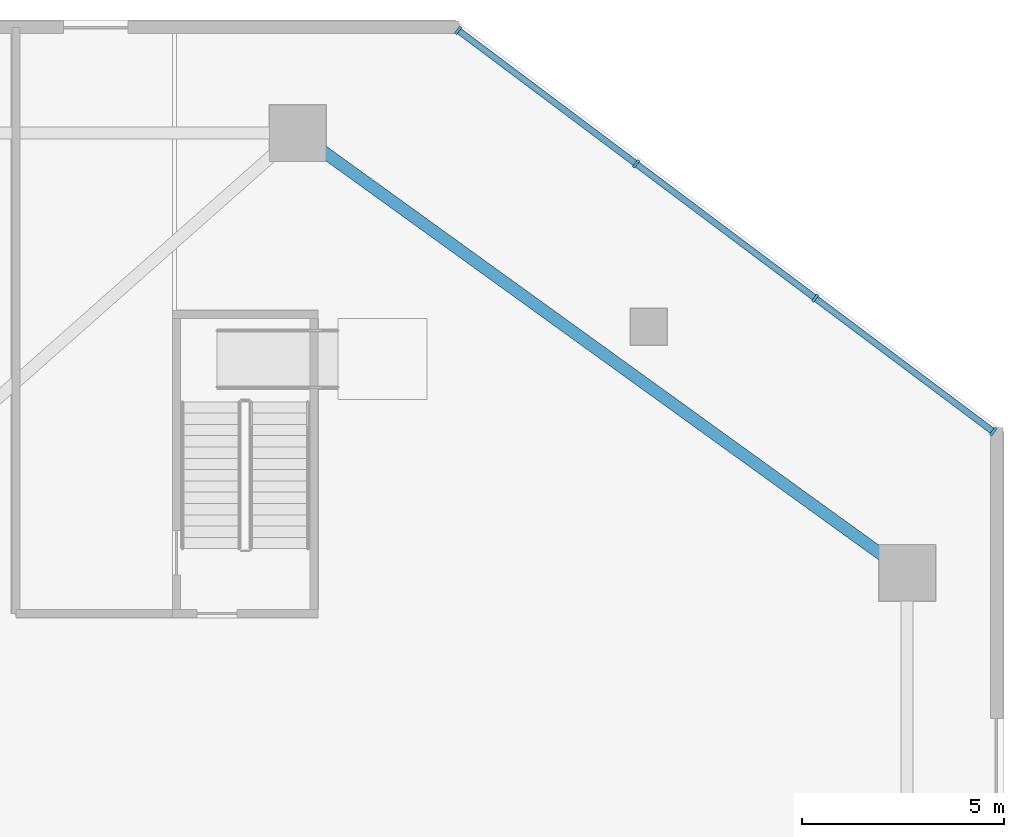
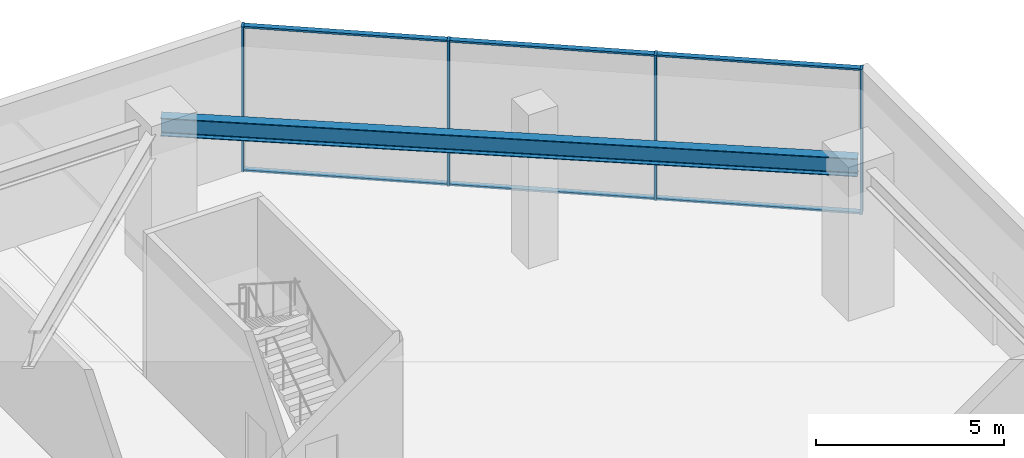
# One storey, part 7 of 22: 10 members, 1 beam, 1 element without a shape of its own.
"""IFC4 building model written with IfcOpenShell, lengths in metres."""

from ifc_helpers import new_model, si_unit, direction, frame, origin, origin_2d, place, context, subcontext, project, spatial, rectangle, i_section, extrude, material, material_profile, profile_set, type_object, element, aggregate, save


model = new_model("IFC4")

# Units and contexts
model_context = context("Model", 3, precision=1e-05, world=origin(), true_north=direction((0.0, 1.0)))
body_context = subcontext(model_context, "Body", "Model", "MODEL_VIEW")
ifc_project = project(units=[si_unit("LENGTHUNIT", "METRE"), si_unit("AREAUNIT", "SQUARE_METRE"), si_unit("VOLUMEUNIT", "CUBIC_METRE"), si_unit("PLANEANGLEUNIT", "RADIAN"), si_unit("MASSUNIT", "GRAM", prefix="KILO")], contexts=[model_context])

# Site, building, storey
site_placement = place(None, origin())
site = spatial("IfcSite", under=ifc_project, at=site_placement, CompositionType="ELEMENT")
building_placement = place(site_placement, origin())
building = spatial("IfcBuilding", under=site, at=building_placement, Name="Savorim Split Tower", CompositionType="ELEMENT")
storey_placement = place(building_placement, origin())
storey = spatial("IfcBuildingStorey", under=building, at=storey_placement, Name="L00", CompositionType="ELEMENT", Elevation=0.0)

# Beam
ifc_material_1 = material(Name="Steel S355", Category="steel")
ifc_material_profile_1 = material_profile(ifc_material_1, i_section(OverallWidth=0.300048828125, OverallDepth=0.590087890625, WebThickness=0.012939453125, FlangeThickness=0.02490234375, FilletRadius=0.027099609375, at=origin_2d()), Name="HEA 600")
ifc_profile_set_1 = profile_set([ifc_material_profile_1], Name="Steel S355")
beam_type = type_object("IfcBeamType", Name="BM-SPN-HEA600", PredefinedType="SPANDREL", material=ifc_profile_set_1)
beam_placement = place(storey_placement, frame((38.60009765625, 14.5, 4.425048828125), z_axis=(-0.810825083438, 0.585288547699, 0.0), x_axis=(-0.585288547699, -0.810825083438, 0.0)))
element("IfcBeam", 1, at=beam_placement, inside=storey, type_object=beam_type, Name="L00 Podium Spandrel Beam 5", PredefinedType="SPANDREL", context=body_context, shape_type="SweptSolid", body=[
    extrude(i_section(OverallWidth=0.300048828125, OverallDepth=0.590087890625, WebThickness=0.012939453125, FlangeThickness=0.02490234375, FilletRadius=0.027099609375, at=origin_2d()), origin(), (0.0, 0.0, 1.0), 18.623046875),
])

# Curtain wall, members
ifc_material_2 = material(Name="Dark Ceramic-Fritted Insulated Glass", Category="glass")
curtain_wall_type = type_object("IfcCurtainWallType", Name="CW-POD-GLZ", PredefinedType="NOTDEFINED", material=ifc_material_2)
curtain_wall_placement = place(storey_placement, origin())
curtain_wall = element("IfcCurtainWall", 2, at=curtain_wall_placement, inside=storey, type_object=curtain_wall_type, Name="L00 Curtain Wall CW-L00-E07", PredefinedType="NOTDEFINED")
ifc_material_3 = material(Name="Charcoal Anodised Aluminium", Category="aluminium")
ifc_material_profile_2 = material_profile(ifc_material_3, rectangle(XDim=0.219970703125, YDim=0.070068359375, at=origin_2d()), Name="ALU-M 220x70")
ifc_profile_set_2 = profile_set([ifc_material_profile_2], Name="Charcoal Anodised Aluminium")
member_type_1 = type_object("IfcMemberType", Name="CWM-220x70", PredefinedType="MULLION", material=ifc_profile_set_2)
member_1_placement = place(storey_placement, frame((40.73193359375, 18.0009765625, 0.0), z_axis=(0.0, 0.0, 1.0), x_axis=(-0.600000000002, -0.799999999998, 0.0)))
member_1 = element("IfcMember", 3, at=member_1_placement, type_object=member_type_1, Name="CW-01 mullion 1", PredefinedType="MULLION", context=body_context, shape_type="SweptSolid", body=[
    extrude(rectangle(XDim=0.219970703125, YDim=0.070068359375, at=origin_2d()), origin(), (0.0, 0.0, 1.0), 4.719970703125),
])
member_2_placement = place(storey_placement, frame((36.32275390625, 21.30810546875, 0.0), z_axis=(0.0, 0.0, 1.0), x_axis=(-0.600000000002, -0.799999999998, 0.0)))
member_2 = element("IfcMember", 4, at=member_2_placement, type_object=member_type_1, Name="CW-01 mullion 2", PredefinedType="MULLION", context=body_context, shape_type="SweptSolid", body=[
    extrude(rectangle(XDim=0.219970703125, YDim=0.070068359375, at=origin_2d()), origin(), (0.0, 0.0, 1.0), 4.719970703125),
])
member_3_placement = place(storey_placement, frame((31.88525390625, 24.635986328125, 0.0), z_axis=(0.0, 0.0, 1.0), x_axis=(-0.600000000002, -0.799999999998, 0.0)))
member_3 = element("IfcMember", 5, at=member_3_placement, type_object=member_type_1, Name="CW-01 mullion 3", PredefinedType="MULLION", context=body_context, shape_type="SweptSolid", body=[
    extrude(rectangle(XDim=0.219970703125, YDim=0.070068359375, at=origin_2d()), origin(), (0.0, 0.0, 1.0), 4.719970703125),
])
member_4_placement = place(storey_placement, frame((27.47607421875, 27.943115234375, 0.0), z_axis=(0.0, 0.0, 1.0), x_axis=(-0.600000000002, -0.799999999998, 0.0)))
member_4 = element("IfcMember", 6, at=member_4_placement, type_object=member_type_1, Name="CW-01 mullion 4", PredefinedType="MULLION", context=body_context, shape_type="SweptSolid", body=[
    extrude(rectangle(XDim=0.219970703125, YDim=0.070068359375, at=origin_2d()), origin(), (0.0, 0.0, 1.0), 4.719970703125),
])
ifc_material_profile_3 = material_profile(ifc_material_3, rectangle(XDim=0.159912109375, YDim=0.06005859375, at=origin_2d()), Name="ALU-T 160x60")
ifc_profile_set_3 = profile_set([ifc_material_profile_3], Name="Charcoal Anodised Aluminium")
member_type_2 = type_object("IfcMemberType", Name="CWT-160x60", PredefinedType="USERDEFINED", material=ifc_profile_set_3)
member_5_placement = place(storey_placement, frame((40.7041015625, 18.02197265625, 0.030029296875), z_axis=(-0.8, 0.6, 0.0), x_axis=(-0.6, -0.8, 0.0)))
member_5 = element("IfcMember", 7, at=member_5_placement, type_object=member_type_2, Name="CW-01 transom 1.1", ObjectType="TRANSOM", PredefinedType="USERDEFINED", context=body_context, shape_type="SweptSolid", body=[
    extrude(rectangle(XDim=0.159912109375, YDim=0.06005859375, at=origin_2d()), origin(), (0.0, 0.0, 1.0), 5.44189453125),
])
member_6_placement = place(storey_placement, frame((40.7041015625, 18.02197265625, 4.68994140625), z_axis=(-0.8, 0.6, 0.0), x_axis=(-0.6, -0.8, 0.0)))
member_6 = element("IfcMember", 8, at=member_6_placement, type_object=member_type_2, Name="CW-01 transom 1.2", ObjectType="TRANSOM", PredefinedType="USERDEFINED", context=body_context, shape_type="SweptSolid", body=[
    extrude(rectangle(XDim=0.159912109375, YDim=0.06005859375, at=origin_2d()), origin(), (0.0, 0.0, 1.0), 5.44189453125),
])
member_7_placement = place(storey_placement, frame((36.294677734375, 21.3291015625, 0.030029296875), z_axis=(-0.800010698779, 0.599985734697, 0.0), x_axis=(-0.599985734697, -0.800010698779, 0.0)))
member_7 = element("IfcMember", 9, at=member_7_placement, type_object=member_type_2, Name="CW-01 transom 2.1", ObjectType="TRANSOM", PredefinedType="USERDEFINED", context=body_context, shape_type="SweptSolid", body=[
    extrude(rectangle(XDim=0.159912109375, YDim=0.06005859375, at=origin_2d()), origin(), (0.0, 0.0, 1.0), 5.4765625),
])
member_8_placement = place(storey_placement, frame((36.294677734375, 21.3291015625, 4.68994140625), z_axis=(-0.800010698779, 0.599985734697, 0.0), x_axis=(-0.599985734697, -0.800010698779, 0.0)))
member_8 = element("IfcMember", 10, at=member_8_placement, type_object=member_type_2, Name="CW-01 transom 2.2", ObjectType="TRANSOM", PredefinedType="USERDEFINED", context=body_context, shape_type="SweptSolid", body=[
    extrude(rectangle(XDim=0.159912109375, YDim=0.06005859375, at=origin_2d()), origin(), (0.0, 0.0, 1.0), 5.4765625),
])
member_9_placement = place(storey_placement, frame((31.857421875, 24.656982421875, 0.030029296875), z_axis=(-0.8, 0.6, 0.0), x_axis=(-0.6, -0.8, 0.0)))
member_9 = element("IfcMember", 11, at=member_9_placement, type_object=member_type_2, Name="CW-01 transom 3.1", ObjectType="TRANSOM", PredefinedType="USERDEFINED", context=body_context, shape_type="SweptSolid", body=[
    extrude(rectangle(XDim=0.159912109375, YDim=0.06005859375, at=origin_2d()), origin(), (0.0, 0.0, 1.0), 5.44189453125),
])
member_10_placement = place(storey_placement, frame((31.857421875, 24.656982421875, 4.68994140625), z_axis=(-0.8, 0.6, 0.0), x_axis=(-0.6, -0.8, 0.0)))
member_10 = element("IfcMember", 12, at=member_10_placement, type_object=member_type_2, Name="CW-01 transom 3.2", ObjectType="TRANSOM", PredefinedType="USERDEFINED", context=body_context, shape_type="SweptSolid", body=[
    extrude(rectangle(XDim=0.159912109375, YDim=0.06005859375, at=origin_2d()), origin(), (0.0, 0.0, 1.0), 5.44189453125),
])
aggregate(curtain_wall, [member_1, member_2, member_3, member_4, member_5, member_6, member_7, member_8, member_9, member_10])

save(model, "model.ifc")
